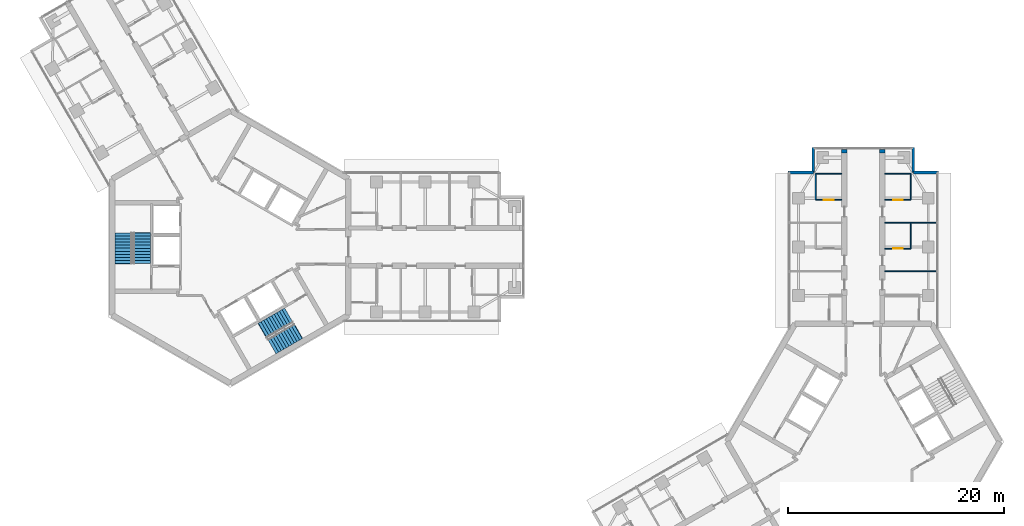
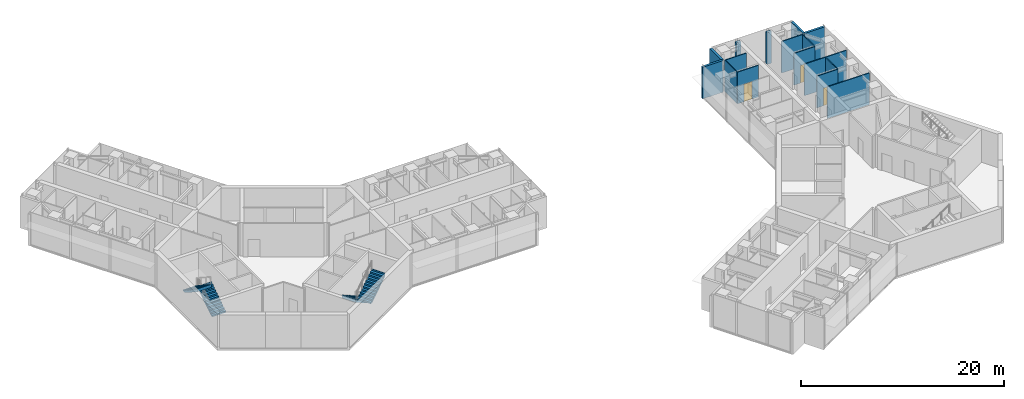
# One storey, part 16 of 18: 16 walls, 4 stair flights, 3 doors, 3 openings, 2 elements without a shape of their own.
"""IFC4 building model written with IfcOpenShell, lengths in metres."""

from ifc_helpers import new_model, si_unit, direction, frame, frame_2d, origin, place, context, subcontext, project, spatial, polyline, rectangle, outline, extrude, material, layer, layer_set, type_object, element, fill, aggregate, save


model = new_model("IFC4")

# Units and contexts
model_context = context("Model", 3, precision=1e-05, world=origin(), true_north=direction((0.0, 1.0)))
body_context = subcontext(model_context, "Body", "Model", "MODEL_VIEW")
ifc_project = project(units=[si_unit("LENGTHUNIT", "METRE"), si_unit("AREAUNIT", "SQUARE_METRE"), si_unit("VOLUMEUNIT", "CUBIC_METRE"), si_unit("PLANEANGLEUNIT", "RADIAN"), si_unit("MASSUNIT", "GRAM", prefix="KILO")], contexts=[model_context])

# Site, building, storey
site_placement = place(None, origin())
site = spatial("IfcSite", under=ifc_project, at=site_placement, CompositionType="ELEMENT")
building_placement = place(site_placement, origin())
building = spatial("IfcBuilding", under=site, at=building_placement, Name="Upepo Twin Towers", CompositionType="ELEMENT")
storey_placement = place(building_placement, frame((0.0, 0.0, 218.5)))
storey = spatial("IfcBuildingStorey", under=building, at=storey_placement, Name="L53", CompositionType="ELEMENT", Elevation=218.5)

# Walls
ifc_material_1 = material(Name="Dense concrete blockwork", Category="masonry")
ifc_layer_1 = layer(ifc_material_1, 0.5)
ifc_layer_set_1 = layer_set([ifc_layer_1], Name="Buttress closer 500, blockwork with fire-stopping to the curtain wall")
wall_type_1 = type_object("IfcWallType", Name="Buttress closer 500, blockwork with fire-stopping to the curtain wall", PredefinedType="PARTITIONING", material=ifc_layer_set_1)
for number, where, z_axis, x_axis, name in (
    (1, (56.75, 8.699951171875, 0.0), (0.0, 0.0, 1.0), (0.0, 1.0, 0.0), "T2 L53 wing A buttress closer L"),
    (2, (60.25, 8.699951171875, 0.0), (0.0, 0.0, 1.0), (0.0, 1.0, 0.0), "T2 L53 wing A buttress closer R"),
):
    element("IfcWall", number, at=place(storey_placement, frame(where, z_axis=z_axis, x_axis=x_axis)), inside=storey, type_object=wall_type_1, Name=name, PredefinedType="PARTITIONING", context=body_context, shape_type="SweptSolid", body=[
        extrude(rectangle(XDim=0.28759765625, YDim=0.5, at=frame_2d((0.143798828125, 0.0))), origin(), (0.0, 0.0, 1.0), 3.800048828125),
    ])
ifc_material_2 = material(Name="Blockwork with anodised aluminium cladding", Category="masonry")
ifc_layer_2 = layer(ifc_material_2, 0.25)
ifc_layer_set_2 = layer_set([ifc_layer_2], Name="Notch cladding wall 250, pale metal")
wall_type_2 = type_object("IfcWallType", Name="Notch cladding wall 250, pale metal", PredefinedType="STANDARD", material=ifc_layer_set_2)
for number, where, z_axis, x_axis, name in (
    (3, (51.550048828125, 6.875, 0.0), (0.0, 0.0, 1.0), (1.0, 0.0, 0.0), "T2 L53 wing A notch wall L1"),
    (4, (53.875, 6.875, 0.0), (0.0, 0.0, 1.0), (0.0, 1.0, 0.0), "T2 L53 wing A notch wall L2"),
    (5, (65.449951171875, 6.875, 0.0), (0.0, 0.0, 1.0), (-1.0, 0.0, 0.0), "T2 L53 wing A notch wall R1"),
    (6, (63.125, 6.875, 0.0), (0.0, 0.0, 1.0), (0.0, 1.0, 0.0), "T2 L53 wing A notch wall R2"),
):
    element("IfcWall", number, at=place(storey_placement, frame(where, z_axis=z_axis, x_axis=x_axis)), inside=storey, type_object=wall_type_2, Name=name, PredefinedType="STANDARD", context=body_context, shape_type="SweptSolid", body=[
        extrude(rectangle(XDim=2.324951171875, YDim=0.25, at=frame_2d((1.16259765625, 0.0))), origin(), (0.0, 0.0, 1.0), 3.800048828125),
    ])
ifc_material_3 = material(Name="Gypsum board on steel studs", Category="steel")
ifc_layer_3 = layer(ifc_material_3, 0.10009765625)
ifc_layer_set_3 = layer_set([ifc_layer_3], Name="Office partition 100 stud")
wall_type_3 = type_object("IfcWallType", Name="Office partition 100 stud", PredefinedType="PARTITIONING", material=ifc_layer_set_3)
wall_1_placement = place(storey_placement, frame((54.10009765625, 4.35009765625, 0.0), z_axis=(0.0, 0.0, 1.0), x_axis=(0.0, 1.0, 0.0)))
element("IfcWall", 7, at=wall_1_placement, inside=storey, type_object=wall_type_3, Name="T2 inner room partition AL at 22.35", PredefinedType="PARTITIONING", context=body_context, shape_type="SweptSolid", body=[
    extrude(rectangle(XDim=2.39990234375, YDim=0.10009765625, at=frame_2d((1.199951171875, 0.0))), origin(), (0.0, 0.0, 1.0), 3.800048828125),
])

# Wall, opening, door
wall_2_placement = place(storey_placement, frame((56.5, 4.35009765625, 0.0), z_axis=(0.0, 0.0, 1.0), x_axis=(-1.0, 0.0, 0.0)))
wall_2 = element("IfcWall", 8, at=wall_2_placement, inside=storey, type_object=wall_type_3, Name="T2 inner room partition AL end at 22.35", PredefinedType="PARTITIONING", context=body_context, shape_type="SweptSolid", body=[
    extrude(rectangle(XDim=2.39990234375, YDim=0.10009765625, at=frame_2d((1.199951171875, 0.0))), origin(), (0.0, 0.0, 1.0), 3.800048828125),
])
opening_1_placement = place(wall_2_placement, frame((0.75, 0.0, 0.0)))
opening_1 = element("IfcOpeningElement", 9, at=opening_1_placement, cuts=wall_2, Name="Opening D14", PredefinedType="OPENING", context=body_context, shape_type="SweptSolid", body=[
    extrude(rectangle(XDim=0.89990234375, YDim=2.10009765625, at=frame_2d((0.449951171875, 1.050048828125))), frame((0.0, 0.06005859375, 0.0), z_axis=(0.0, -1.0, 0.0), x_axis=(1.0, 0.0, 0.0)), (0.0, 0.0, 1.0), 0.1201171875),
])
ifc_material_4 = material(Name="Timber doorset", Category="wood")
door_type = type_object("IfcDoorType", Name="Office door 900 FD30", OperationType="SINGLE_SWING_LEFT", PredefinedType="DOOR", material=ifc_material_4)
door_1_placement = place(opening_1_placement, origin())
door_1 = element("IfcDoor", 10, at=door_1_placement, inside=storey, type_object=door_type, Name="T2 L53 inner room door", OperationType="SINGLE_SWING_LEFT", OverallHeight=2.10009765625, OverallWidth=0.89990234375, PredefinedType="DOOR", context=body_context, shape_type="SweptSolid", body=[
    extrude(rectangle(XDim=0.89990234375, YDim=2.10009765625, at=frame_2d((0.449951171875, 1.050048828125))), frame((0.0, 0.02490234375, 0.0), z_axis=(0.0, -1.0, 0.0), x_axis=(1.0, 0.0, 0.0)), (0.0, 0.0, 1.0), 0.050048828125),
])
fill(opening_1, door_1)

# Walls
wall_3_placement = place(storey_placement, frame((56.5, 6.75, 0.0), z_axis=(0.0, 0.0, 1.0), x_axis=(-1.0, 0.0, 0.0)))
element("IfcWall", 11, at=wall_3_placement, inside=storey, type_object=wall_type_3, Name="T2 inner room partition AL end at 24.75", PredefinedType="PARTITIONING", context=body_context, shape_type="SweptSolid", body=[
    extrude(rectangle(XDim=2.39990234375, YDim=0.10009765625, at=frame_2d((1.199951171875, 0.0))), origin(), (0.0, 0.0, 1.0), 3.800048828125),
])
for number, where, z_axis, x_axis, name in (
    (12, (60.5, -2.25, 0.0), (0.0, 0.0, 1.0), (1.0, 0.0, 0.0), "T2 partition AR at 15.75"),
    (13, (60.5, 2.25, 0.0), (0.0, 0.0, 1.0), (1.0, 0.0, 0.0), "T2 partition AR at 20.25"),
):
    element("IfcWall", number, at=place(storey_placement, frame(where, z_axis=z_axis, x_axis=x_axis)), inside=storey, type_object=wall_type_3, Name=name, PredefinedType="PARTITIONING", context=body_context, shape_type="SweptSolid", body=[
        extrude(rectangle(XDim=4.75, YDim=0.10009765625, at=frame_2d((2.375, 0.0))), origin(), (0.0, 0.0, 1.0), 3.800048828125),
    ])
wall_4_placement = place(storey_placement, frame((62.89990234375, -0.14990234375, 0.0), z_axis=(0.0, 0.0, 1.0), x_axis=(0.0, 1.0, 0.0)))
element("IfcWall", 14, at=wall_4_placement, inside=storey, type_object=wall_type_3, Name="T2 inner room partition AR at 17.85", PredefinedType="PARTITIONING", context=body_context, shape_type="SweptSolid", body=[
    extrude(rectangle(XDim=2.39990234375, YDim=0.10009765625, at=frame_2d((1.199951171875, 0.0))), origin(), (0.0, 0.0, 1.0), 3.800048828125),
])

# Wall, opening, door
wall_5_placement = place(storey_placement, frame((60.5, -0.14990234375, 0.0), z_axis=(0.0, 0.0, 1.0), x_axis=(1.0, 0.0, 0.0)))
wall_5 = element("IfcWall", 15, at=wall_5_placement, inside=storey, type_object=wall_type_3, Name="T2 inner room partition AR end at 17.85", PredefinedType="PARTITIONING", context=body_context, shape_type="SweptSolid", body=[
    extrude(rectangle(XDim=2.39990234375, YDim=0.10009765625, at=frame_2d((1.199951171875, 0.0))), origin(), (0.0, 0.0, 1.0), 3.800048828125),
])
opening_2_placement = place(wall_5_placement, frame((0.75, 0.0, 0.0)))
opening_2 = element("IfcOpeningElement", 16, at=opening_2_placement, cuts=wall_5, Name="Opening D14", PredefinedType="OPENING", context=body_context, shape_type="SweptSolid", body=[
    extrude(rectangle(XDim=0.89990234375, YDim=2.10009765625, at=frame_2d((0.449951171875, 1.050048828125))), frame((0.0, 0.06005859375, 0.0), z_axis=(0.0, -1.0, 0.0), x_axis=(1.0, 0.0, 0.0)), (0.0, 0.0, 1.0), 0.1201171875),
])
door_2_placement = place(opening_2_placement, origin())
door_2 = element("IfcDoor", 17, at=door_2_placement, inside=storey, type_object=door_type, Name="T2 L53 inner room door", OperationType="SINGLE_SWING_LEFT", OverallHeight=2.10009765625, OverallWidth=0.89990234375, PredefinedType="DOOR", context=body_context, shape_type="SweptSolid", body=[
    extrude(rectangle(XDim=0.89990234375, YDim=2.10009765625, at=frame_2d((0.449951171875, 1.050048828125))), frame((0.0, 0.02490234375, 0.0), z_axis=(0.0, -1.0, 0.0), x_axis=(1.0, 0.0, 0.0)), (0.0, 0.0, 1.0), 0.050048828125),
])
fill(opening_2, door_2)

# Wall
wall_6_placement = place(storey_placement, frame((62.89990234375, 4.35009765625, 0.0), z_axis=(0.0, 0.0, 1.0), x_axis=(0.0, 1.0, 0.0)))
element("IfcWall", 18, at=wall_6_placement, inside=storey, type_object=wall_type_3, Name="T2 inner room partition AR at 22.35", PredefinedType="PARTITIONING", context=body_context, shape_type="SweptSolid", body=[
    extrude(rectangle(XDim=2.39990234375, YDim=0.10009765625, at=frame_2d((1.199951171875, 0.0))), origin(), (0.0, 0.0, 1.0), 3.800048828125),
])

# Wall, opening, door
wall_7_placement = place(storey_placement, frame((60.5, 4.35009765625, 0.0), z_axis=(0.0, 0.0, 1.0), x_axis=(1.0, 0.0, 0.0)))
wall_7 = element("IfcWall", 19, at=wall_7_placement, inside=storey, type_object=wall_type_3, Name="T2 inner room partition AR end at 22.35", PredefinedType="PARTITIONING", context=body_context, shape_type="SweptSolid", body=[
    extrude(rectangle(XDim=2.39990234375, YDim=0.10009765625, at=frame_2d((1.199951171875, 0.0))), origin(), (0.0, 0.0, 1.0), 3.800048828125),
])
opening_3_placement = place(wall_7_placement, frame((0.75, 0.0, 0.0)))
opening_3 = element("IfcOpeningElement", 20, at=opening_3_placement, cuts=wall_7, Name="Opening D14", PredefinedType="OPENING", context=body_context, shape_type="SweptSolid", body=[
    extrude(rectangle(XDim=0.89990234375, YDim=2.10009765625, at=frame_2d((0.449951171875, 1.050048828125))), frame((0.0, 0.06005859375, 0.0), z_axis=(0.0, -1.0, 0.0), x_axis=(1.0, 0.0, 0.0)), (0.0, 0.0, 1.0), 0.1201171875),
])
door_3_placement = place(opening_3_placement, origin())
door_3 = element("IfcDoor", 21, at=door_3_placement, inside=storey, type_object=door_type, Name="T2 L53 inner room door", OperationType="SINGLE_SWING_LEFT", OverallHeight=2.10009765625, OverallWidth=0.89990234375, PredefinedType="DOOR", context=body_context, shape_type="SweptSolid", body=[
    extrude(rectangle(XDim=0.89990234375, YDim=2.10009765625, at=frame_2d((0.449951171875, 1.050048828125))), frame((0.0, 0.02490234375, 0.0), z_axis=(0.0, -1.0, 0.0), x_axis=(1.0, 0.0, 0.0)), (0.0, 0.0, 1.0), 0.050048828125),
])
fill(opening_3, door_3)

# Wall
wall_8_placement = place(storey_placement, frame((60.5, 6.75, 0.0), z_axis=(0.0, 0.0, 1.0), x_axis=(1.0, 0.0, 0.0)))
element("IfcWall", 22, at=wall_8_placement, inside=storey, type_object=wall_type_3, Name="T2 inner room partition AR end at 24.75", PredefinedType="PARTITIONING", context=body_context, shape_type="SweptSolid", body=[
    extrude(rectangle(XDim=2.39990234375, YDim=0.10009765625, at=frame_2d((1.199951171875, 0.0))), origin(), (0.0, 0.0, 1.0), 3.800048828125),
])

# Stair, stair flights
ifc_material_5 = material(Name="Concrete C40/50", Category="concrete")
stair_type = type_object("IfcStairType", Name="Core stair, two flights", PredefinedType="HALF_TURN_STAIR", material=ifc_material_5)
stair_1_placement = place(storey_placement, origin())
stair_1 = element("IfcStair", 23, at=stair_1_placement, inside=storey, type_object=stair_type, Name="T1 stair S1 L53", PredefinedType="HALF_TURN_STAIR")
ifc_material_6 = material(Name="Concrete C40/50", Category="concrete")
stair_flight_type = type_object("IfcStairFlightType", Name="Stair flight 1550 RC", PredefinedType="STRAIGHT", material=ifc_material_6)
stair_flight_1_placement = place(storey_placement, frame((-8.175048828125, -1.52001953125, 0.0), z_axis=(0.0, 0.0, 1.0), x_axis=(0.0, 1.0, 0.0)))
stair_flight_1 = element("IfcStairFlight", 24, at=stair_flight_1_placement, type_object=stair_flight_type, Name="Stair S1 flight 1", NumberOfRisers=11, NumberOfTreads=10, PredefinedType="STRAIGHT", RiserHeight=0.181818182, TreadLength=0.28, context=body_context, shape_type="SweptSolid", body=[
    extrude(outline(polyline([(0.0, 0.0), (0.0, 0.181884765625), (0.280029296875, 0.181884765625), (0.280029296875, 0.363525390625), (0.56005859375, 0.363525390625), (0.56005859375, 0.54541015625), (0.840087890625, 0.54541015625), (0.840087890625, 0.727294921875), (1.1201171875, 0.727294921875), (1.1201171875, 0.9091796875), (1.39990234375, 0.9091796875), (1.39990234375, 1.0908203125), (1.679931640625, 1.0908203125), (1.679931640625, 1.272705078125), (1.9599609375, 1.272705078125), (1.9599609375, 1.45458984375), (2.239990234375, 1.45458984375), (2.239990234375, 1.636474609375), (2.52001953125, 1.636474609375), (2.52001953125, 1.818115234375), (2.800048828125, 1.818115234375), (2.800048828125, 2.0), (2.85009765625, 2.0), (2.85009765625, 1.639404296875), (0.3251953125, 0.0), (0.0, 0.0)])), frame((0.0, 0.77490234375, 0.0), z_axis=(0.0, -1.0, 0.0), x_axis=(1.0, 0.0, 0.0)), (0.0, 0.0, 1.0), 1.550048828125),
])
stair_flight_2_placement = place(storey_placement, frame((-9.88330078125, 1.280029296875, 2.0), z_axis=(0.0, 0.0, 1.0), x_axis=(0.0, -1.0, 0.0)))
stair_flight_2 = element("IfcStairFlight", 25, at=stair_flight_2_placement, type_object=stair_flight_type, Name="Stair S1 flight 2", NumberOfRisers=11, NumberOfTreads=10, PredefinedType="STRAIGHT", RiserHeight=0.181818182, TreadLength=0.28, context=body_context, shape_type="SweptSolid", body=[
    extrude(outline(polyline([(0.0, 0.0), (0.0, 0.181884765625), (0.280029296875, 0.181884765625), (0.280029296875, 0.363525390625), (0.56005859375, 0.363525390625), (0.56005859375, 0.54541015625), (0.840087890625, 0.54541015625), (0.840087890625, 0.727294921875), (1.1201171875, 0.727294921875), (1.1201171875, 0.9091796875), (1.39990234375, 0.9091796875), (1.39990234375, 1.0908203125), (1.679931640625, 1.0908203125), (1.679931640625, 1.272705078125), (1.9599609375, 1.272705078125), (1.9599609375, 1.45458984375), (2.239990234375, 1.45458984375), (2.239990234375, 1.636474609375), (2.52001953125, 1.636474609375), (2.52001953125, 1.818115234375), (2.800048828125, 1.818115234375), (2.800048828125, 2.0), (2.85009765625, 2.0), (2.85009765625, 1.639404296875), (0.3251953125, 0.0), (0.0, 0.0)])), frame((0.0, 0.77490234375, 0.0), z_axis=(0.0, -1.0, 0.0), x_axis=(1.0, 0.0, 0.0)), (0.0, 0.0, 1.0), 1.550048828125),
])
aggregate(stair_1, [stair_flight_1, stair_flight_2])

stair_2_placement = place(storey_placement, origin())
stair_2 = element("IfcStair", 26, at=stair_2_placement, inside=storey, type_object=stair_type, Name="T1 stair S2 L53", PredefinedType="HALF_TURN_STAIR")
stair_flight_3_placement = place(storey_placement, frame((5.40380859375, -6.31982421875, 0.0), z_axis=(0.0, 0.0, 1.0), x_axis=(-0.866025403784, -0.5, 0.0)))
stair_flight_3 = element("IfcStairFlight", 27, at=stair_flight_3_placement, type_object=stair_flight_type, Name="Stair S2 flight 1", NumberOfRisers=11, NumberOfTreads=10, PredefinedType="STRAIGHT", RiserHeight=0.181818182, TreadLength=0.28, context=body_context, shape_type="SweptSolid", body=[
    extrude(outline(polyline([(0.0, 0.0), (0.0, 0.181884765625), (0.280029296875, 0.181884765625), (0.280029296875, 0.363525390625), (0.56005859375, 0.363525390625), (0.56005859375, 0.54541015625), (0.840087890625, 0.54541015625), (0.840087890625, 0.727294921875), (1.1201171875, 0.727294921875), (1.1201171875, 0.9091796875), (1.39990234375, 0.9091796875), (1.39990234375, 1.0908203125), (1.679931640625, 1.0908203125), (1.679931640625, 1.272705078125), (1.9599609375, 1.272705078125), (1.9599609375, 1.45458984375), (2.239990234375, 1.45458984375), (2.239990234375, 1.636474609375), (2.52001953125, 1.636474609375), (2.52001953125, 1.818115234375), (2.800048828125, 1.818115234375), (2.800048828125, 2.0), (2.85009765625, 2.0), (2.85009765625, 1.639404296875), (0.3251953125, 0.0), (0.0, 0.0)])), frame((0.0, 0.77490234375, 0.0), z_axis=(0.0, -1.0, 0.0), x_axis=(1.0, 0.0, 0.0)), (0.0, 0.0, 1.0), 1.550048828125),
])
stair_flight_4_placement = place(storey_placement, frame((3.833251953125, -9.19921875, 2.0), z_axis=(0.0, 0.0, 1.0), x_axis=(0.866025403784, 0.5, 0.0)))
stair_flight_4 = element("IfcStairFlight", 28, at=stair_flight_4_placement, type_object=stair_flight_type, Name="Stair S2 flight 2", NumberOfRisers=11, NumberOfTreads=10, PredefinedType="STRAIGHT", RiserHeight=0.181818182, TreadLength=0.28, context=body_context, shape_type="SweptSolid", body=[
    extrude(outline(polyline([(0.0, 0.0), (0.0, 0.181884765625), (0.280029296875, 0.181884765625), (0.280029296875, 0.363525390625), (0.56005859375, 0.363525390625), (0.56005859375, 0.54541015625), (0.840087890625, 0.54541015625), (0.840087890625, 0.727294921875), (1.1201171875, 0.727294921875), (1.1201171875, 0.9091796875), (1.39990234375, 0.9091796875), (1.39990234375, 1.0908203125), (1.679931640625, 1.0908203125), (1.679931640625, 1.272705078125), (1.9599609375, 1.272705078125), (1.9599609375, 1.45458984375), (2.239990234375, 1.45458984375), (2.239990234375, 1.636474609375), (2.52001953125, 1.636474609375), (2.52001953125, 1.818115234375), (2.800048828125, 1.818115234375), (2.800048828125, 2.0), (2.85009765625, 2.0), (2.85009765625, 1.639404296875), (0.3251953125, 0.0), (0.0, 0.0)])), frame((0.0, 0.77490234375, 0.0), z_axis=(0.0, -1.0, 0.0), x_axis=(1.0, 0.0, 0.0)), (0.0, 0.0, 1.0), 1.550048828125),
])
aggregate(stair_2, [stair_flight_3, stair_flight_4])

save(model, "model.ifc")
